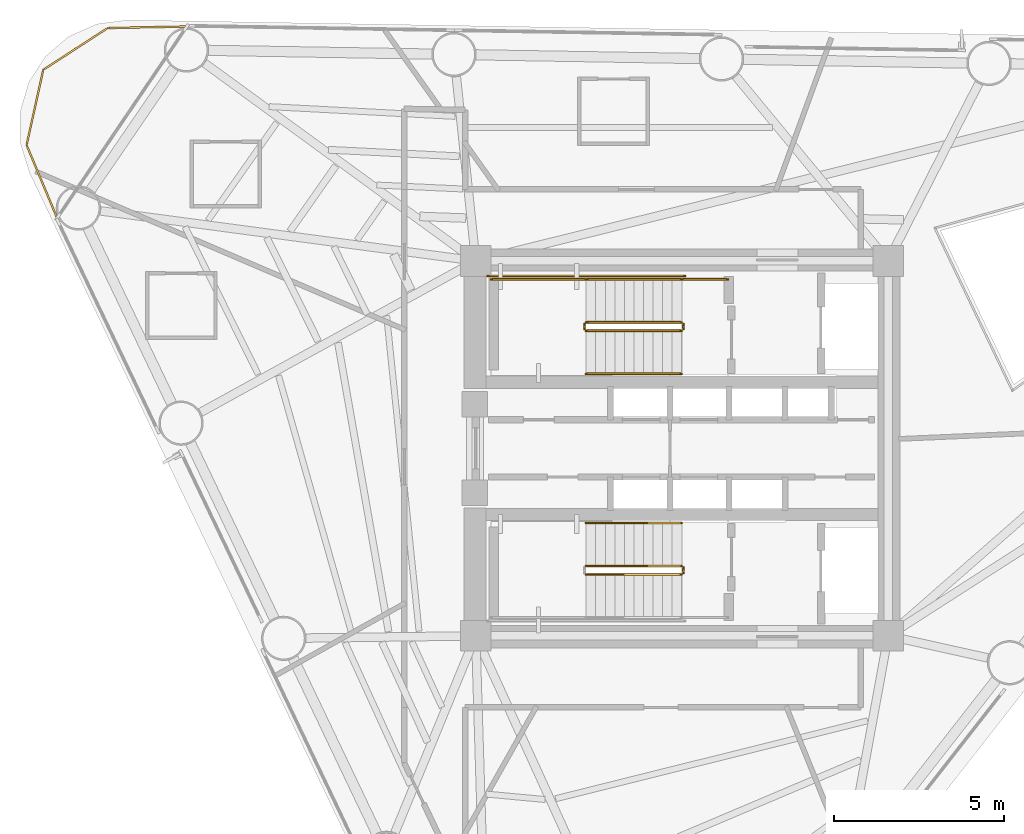
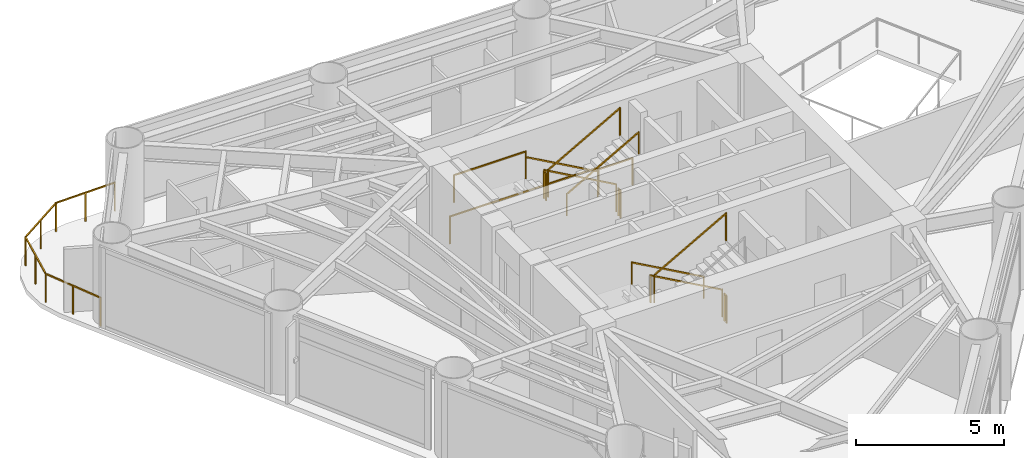
# One storey, part 9 of 10: 14 railings.
"""IFC4 building model written with IfcOpenShell, lengths in metres."""

from ifc_helpers import new_model, si_unit, direction, frame, origin, origin_2d, place, context, subcontext, project, spatial, rectangle, extrude, material, type_object, element, save


model = new_model("IFC4")

# Units and contexts
model_context = context("Model", 3, precision=1e-05, world=origin(), true_north=direction((0.0, 1.0)))
body_context = subcontext(model_context, "Body", "Model", "MODEL_VIEW")
ifc_project = project(units=[si_unit("LENGTHUNIT", "METRE"), si_unit("AREAUNIT", "SQUARE_METRE"), si_unit("VOLUMEUNIT", "CUBIC_METRE"), si_unit("PLANEANGLEUNIT", "RADIAN"), si_unit("MASSUNIT", "GRAM", prefix="KILO")], contexts=[model_context])

# Site, building, storey
site_placement = place(None, origin())
site = spatial("IfcSite", under=ifc_project, at=site_placement, CompositionType="ELEMENT")
building_placement = place(site_placement, origin())
building = spatial("IfcBuilding", under=site, at=building_placement, Name="Yunling Apex Tower", CompositionType="ELEMENT")
storey_placement = place(building_placement, frame((0.0, 0.0, 143.300048828125)))
storey = spatial("IfcBuildingStorey", under=building, at=storey_placement, Name="L35", CompositionType="ELEMENT", Elevation=143.300048828125)

# Railings
ifc_material_1 = material(Name="Bronze anodised aluminium", Category="aluminium")
railing_type_1 = type_object("IfcRailingType", Name="RL-BAL-1200", PredefinedType="BALUSTRADE", material=ifc_material_1)
railing_1_placement = place(storey_placement, frame((-18.331298828125, 6.7578125, 0.0)))
element("IfcRailing", 1, at=railing_1_placement, inside=storey, type_object=railing_type_1, Name="RL-CRNSILL-L35-2", PredefinedType="BALUSTRADE", context=body_context, shape_type="SweptSolid", body=[
    extrude(rectangle(XDim=0.0439453125, YDim=0.0439453125, at=origin_2d()), origin(), (0.0, 0.0, 1.0), 1.199951171875),
    extrude(rectangle(XDim=0.0439453125, YDim=0.0439453125, at=origin_2d()), frame((-0.896240234375, 2.142578125, 0.0)), (0.0, 0.0, 1.0), 1.199951171875),
    extrude(rectangle(XDim=0.050048828125, YDim=0.050048828125, at=origin_2d()), frame((-0.014892578125, 0.035400390625, 1.1748046875), z_axis=(-0.385898856138, 0.92254109547, 0.0), x_axis=(-0.92254109547, -0.385898856138, 0.0)), (0.0, 0.0, 1.0), 2.245849609375),
    extrude(rectangle(XDim=0.0439453125, YDim=0.0439453125, at=origin_2d()), frame((-0.4482421875, 1.0712890625, 0.0)), (0.0, 0.0, 1.0), 1.14599609375),
    extrude(rectangle(XDim=0.0439453125, YDim=0.0439453125, at=origin_2d()), frame((-0.407958984375, 4.349609375, 0.0)), (0.0, 0.0, 1.0), 1.199951171875),
    extrude(rectangle(XDim=0.050048828125, YDim=0.050048828125, at=origin_2d()), frame((-0.887939453125, 2.179931640625, 1.1748046875), z_axis=(0.216015473483, 0.976389940145, 0.0), x_axis=(-0.976389940145, 0.216015473483, 0.0)), (0.0, 0.0, 1.0), 2.183837890625),
    extrude(rectangle(XDim=0.0439453125, YDim=0.0439453125, at=origin_2d()), frame((-0.652099609375, 3.24609375, 0.0)), (0.0, 0.0, 1.0), 1.14599609375),
    extrude(rectangle(XDim=0.0439453125, YDim=0.0439453125, at=origin_2d()), frame((1.482666015625, 5.574951171875, 0.0)), (0.0, 0.0, 1.0), 1.199951171875),
    extrude(rectangle(XDim=0.050048828125, YDim=0.050048828125, at=origin_2d()), frame((-0.375732421875, 4.370361328125, 1.1748046875), z_axis=(0.83916580884, 0.543875670786, 0.0), x_axis=(-0.543875670786, 0.83916580884, 0.0)), (0.0, 0.0, 1.0), 2.17626953125),
    extrude(rectangle(XDim=0.0439453125, YDim=0.0439453125, at=origin_2d()), frame((0.537353515625, 4.96240234375, 0.0)), (0.0, 0.0, 1.0), 1.14599609375),
    extrude(rectangle(XDim=0.0439453125, YDim=0.0439453125, at=origin_2d()), frame((3.805419921875, 5.6220703125, 0.0)), (0.0, 0.0, 1.0), 1.199951171875),
    extrude(rectangle(XDim=0.050048828125, YDim=0.050048828125, at=origin_2d()), frame((1.52099609375, 5.57568359375, 1.1748046875), z_axis=(0.999794304726, 0.020281721759, 0.0), x_axis=(-0.020281721759, 0.999794304726, 0.0)), (0.0, 0.0, 1.0), 2.24658203125),
    extrude(rectangle(XDim=0.0439453125, YDim=0.0439453125, at=origin_2d()), frame((2.64404296875, 5.5986328125, 0.0)), (0.0, 0.0, 1.0), 1.14599609375),
])
ifc_material_2 = material(Name="Steel Q355B", Category="steel")
railing_type_2 = type_object("IfcRailingType", Name="RL-GRD-1150", PredefinedType="GUARDRAIL", material=ifc_material_2)
railing_2_placement = place(storey_placement, frame((-0.010009765625, 3.699951171875, 0.15673828125)))
element("IfcRailing", 2, at=railing_2_placement, inside=storey, type_object=railing_type_2, Name="L35 ST-1 stair guard 1", PredefinedType="GUARDRAIL", context=body_context, shape_type="SweptSolid", body=[
    extrude(rectangle(XDim=0.0439453125, YDim=0.0439453125, at=origin_2d()), origin(), (0.0, 0.0, 1.0), 1.14990234375),
    extrude(rectangle(XDim=0.0439453125, YDim=0.0439453125, at=origin_2d()), frame((-2.800048828125, 0.0, 1.568115234375)), (0.0, 0.0, 1.0), 1.14990234375),
    extrude(rectangle(XDim=0.050048828125, YDim=0.050048828125, at=origin_2d()), frame((-0.033447265625, 0.0, 1.1435546875), z_axis=(-0.872494340497, 0.0, 0.48862421737), x_axis=(0.0, -1.0, 0.0)), (0.0, 0.0, 1.0), 3.132568359375),
])
railing_3_placement = place(storey_placement, frame((-2.860107421875, 3.64990234375, 1.724853515625)))
element("IfcRailing", 3, at=railing_3_placement, inside=storey, type_object=railing_type_2, Name="L35 ST-1 stair guard 2", PredefinedType="GUARDRAIL", context=body_context, shape_type="SweptSolid", body=[
    extrude(rectangle(XDim=0.0439453125, YDim=0.0439453125, at=origin_2d()), origin(), (0.0, 0.0, 1.0), 1.14990234375),
    extrude(rectangle(XDim=0.0439453125, YDim=0.0439453125, at=origin_2d()), frame((0.0, -0.14990234375, 0.0)), (0.0, 0.0, 1.0), 1.14990234375),
    extrude(rectangle(XDim=0.050048828125, YDim=0.050048828125, at=origin_2d()), frame((0.0, -0.038330078125, 1.125), z_axis=(0.0, -1.0, 0.0), x_axis=(1.0, 0.0, 0.0)), (0.0, 0.0, 1.0), 0.0732421875),
])
railing_4_placement = place(storey_placement, frame((-2.81005859375, 4.9599609375, 1.724853515625)))
element("IfcRailing", 4, at=railing_4_placement, inside=storey, type_object=railing_type_2, Name="L35 ST-1 stair guard 3", PredefinedType="GUARDRAIL", context=body_context, shape_type="SweptSolid", body=[
    extrude(rectangle(XDim=0.0439453125, YDim=0.0439453125, at=origin_2d()), origin(), (0.0, 0.0, 1.0), 1.14990234375),
    extrude(rectangle(XDim=0.0439453125, YDim=0.0439453125, at=origin_2d()), frame((-2.7900390625, 0.0, 0.0)), (0.0, 0.0, 1.0), 1.14990234375),
    extrude(rectangle(XDim=0.050048828125, YDim=0.050048828125, at=origin_2d()), frame((-0.038330078125, 0.0, 1.125), z_axis=(-1.0, 0.0, 0.0), x_axis=(0.0, -1.0, 0.0)), (0.0, 0.0, 1.0), 2.71337890625),
])
railing_5_placement = place(storey_placement, frame((-2.81005859375, 3.449951171875, 1.8818359375)))
element("IfcRailing", 5, at=railing_5_placement, inside=storey, type_object=railing_type_2, Name="L35 ST-1 stair guard 4", PredefinedType="GUARDRAIL", context=body_context, shape_type="SweptSolid", body=[
    extrude(rectangle(XDim=0.0439453125, YDim=0.0439453125, at=origin_2d()), origin(), (0.0, 0.0, 1.0), 1.14990234375),
    extrude(rectangle(XDim=0.0439453125, YDim=0.0439453125, at=origin_2d()), frame((2.800048828125, 0.0, 1.568115234375)), (0.0, 0.0, 1.0), 1.14990234375),
    extrude(rectangle(XDim=0.050048828125, YDim=0.050048828125, at=origin_2d()), frame((0.033447265625, 0.0, 1.1435546875), z_axis=(0.872494340497, 0.0, 0.48862421737), x_axis=(0.0, 1.0, 0.0)), (0.0, 0.0, 1.0), 3.132568359375),
])
railing_6_placement = place(storey_placement, frame((0.0400390625, 3.64990234375, 0.0)))
element("IfcRailing", 6, at=railing_6_placement, inside=storey, type_object=railing_type_2, Name="L35 ST-1 stair guard 5", PredefinedType="GUARDRAIL", context=body_context, shape_type="SweptSolid", body=[
    extrude(rectangle(XDim=0.0439453125, YDim=0.0439453125, at=origin_2d()), origin(), (0.0, 0.0, 1.0), 1.14990234375),
    extrude(rectangle(XDim=0.0439453125, YDim=0.0439453125, at=origin_2d()), frame((0.0, -0.14990234375, 0.0)), (0.0, 0.0, 1.0), 1.14990234375),
    extrude(rectangle(XDim=0.050048828125, YDim=0.050048828125, at=origin_2d()), frame((0.0, -0.038330078125, 1.125), z_axis=(0.0, -1.0, 0.0), x_axis=(1.0, 0.0, 0.0)), (0.0, 0.0, 1.0), 0.0732421875),
])
railing_7_placement = place(storey_placement, frame((1.35009765625, 4.9599609375, 0.0)))
element("IfcRailing", 7, at=railing_7_placement, inside=storey, type_object=railing_type_2, Name="L35 ST-1 stair guard 6", PredefinedType="GUARDRAIL", context=body_context, shape_type="SweptSolid", body=[
    extrude(rectangle(XDim=0.0439453125, YDim=0.0439453125, at=origin_2d()), origin(), (0.0, 0.0, 1.0), 1.14990234375),
    extrude(rectangle(XDim=0.0439453125, YDim=0.0439453125, at=origin_2d()), frame((-1.360107421875, 0.0, 0.0)), (0.0, 0.0, 1.0), 1.14990234375),
    extrude(rectangle(XDim=0.050048828125, YDim=0.050048828125, at=origin_2d()), frame((-0.038330078125, 0.0, 1.125), z_axis=(-1.0, 0.0, 0.0), x_axis=(0.0, -1.0, 0.0)), (0.0, 0.0, 1.0), 1.283447265625),
])
railing_8_placement = place(storey_placement, frame((0.090087890625, 5.06005859375, 0.0)))
element("IfcRailing", 8, at=railing_8_placement, inside=storey, type_object=railing_type_2, Name="L35 ST-1 stair guard 7", PredefinedType="GUARDRAIL", context=body_context, shape_type="SweptSolid", body=[
    extrude(rectangle(XDim=0.0439453125, YDim=0.0439453125, at=origin_2d()), origin(), (0.0, 0.0, 1.0), 1.14990234375),
    extrude(rectangle(XDim=0.0439453125, YDim=0.0439453125, at=origin_2d()), frame((-5.7900390625, 0.0, 0.0)), (0.0, 0.0, 1.0), 1.14990234375),
    extrude(rectangle(XDim=0.050048828125, YDim=0.050048828125, at=origin_2d()), frame((-0.038330078125, 0.0, 1.125), z_axis=(-1.0, 0.0, 0.0), x_axis=(0.0, -1.0, 0.0)), (0.0, 0.0, 1.0), 5.71337890625),
])
railing_9_placement = place(storey_placement, frame((-0.010009765625, -3.449951171875, 0.15673828125)))
element("IfcRailing", 9, at=railing_9_placement, inside=storey, type_object=railing_type_2, Name="L35 ST-2 stair guard 1", PredefinedType="GUARDRAIL", context=body_context, shape_type="SweptSolid", body=[
    extrude(rectangle(XDim=0.0439453125, YDim=0.0439453125, at=origin_2d()), origin(), (0.0, 0.0, 1.0), 1.14990234375),
    extrude(rectangle(XDim=0.0439453125, YDim=0.0439453125, at=origin_2d()), frame((-2.800048828125, 0.0, 1.568115234375)), (0.0, 0.0, 1.0), 1.14990234375),
    extrude(rectangle(XDim=0.050048828125, YDim=0.050048828125, at=origin_2d()), frame((-0.033447265625, 0.0, 1.1435546875), z_axis=(-0.872494340497, 0.0, 0.48862421737), x_axis=(0.0, -1.0, 0.0)), (0.0, 0.0, 1.0), 3.132568359375),
])
railing_10_placement = place(storey_placement, frame((-2.81005859375, -3.699951171875, 1.8818359375)))
element("IfcRailing", 10, at=railing_10_placement, inside=storey, type_object=railing_type_2, Name="L35 ST-2 stair guard 4", PredefinedType="GUARDRAIL", context=body_context, shape_type="SweptSolid", body=[
    extrude(rectangle(XDim=0.0439453125, YDim=0.0439453125, at=origin_2d()), origin(), (0.0, 0.0, 1.0), 1.14990234375),
    extrude(rectangle(XDim=0.0439453125, YDim=0.0439453125, at=origin_2d()), frame((2.800048828125, 0.0, 1.568115234375)), (0.0, 0.0, 1.0), 1.14990234375),
    extrude(rectangle(XDim=0.050048828125, YDim=0.050048828125, at=origin_2d()), frame((0.033447265625, 0.0, 1.1435546875), z_axis=(0.872494340497, 0.0, 0.48862421737), x_axis=(0.0, 1.0, 0.0)), (0.0, 0.0, 1.0), 3.132568359375),
])
railing_11_placement = place(storey_placement, frame((0.0400390625, -3.5, 0.0)))
element("IfcRailing", 11, at=railing_11_placement, inside=storey, type_object=railing_type_2, Name="L35 ST-2 stair guard 5", PredefinedType="GUARDRAIL", context=body_context, shape_type="SweptSolid", body=[
    extrude(rectangle(XDim=0.0439453125, YDim=0.0439453125, at=origin_2d()), origin(), (0.0, 0.0, 1.0), 1.14990234375),
    extrude(rectangle(XDim=0.0439453125, YDim=0.0439453125, at=origin_2d()), frame((0.0, -0.14990234375, 0.0)), (0.0, 0.0, 1.0), 1.14990234375),
    extrude(rectangle(XDim=0.050048828125, YDim=0.050048828125, at=origin_2d()), frame((0.0, -0.038330078125, 1.125), z_axis=(0.0, -1.0, 0.0), x_axis=(1.0, 0.0, 0.0)), (0.0, 0.0, 1.0), 0.0732421875),
])
ifc_material_3 = material(Name="Silver anodised aluminium", Category="aluminium")
railing_type_3 = type_object("IfcRailingType", Name="RL-HND-900", PredefinedType="HANDRAIL", material=ifc_material_3)
railing_12_placement = place(storey_placement, frame((-0.010009765625, 4.9599609375, 0.15673828125)))
element("IfcRailing", 12, at=railing_12_placement, inside=storey, type_object=railing_type_3, Name="L35 ST-1 stair handrail 1", PredefinedType="HANDRAIL", context=body_context, shape_type="SweptSolid", body=[
    extrude(rectangle(XDim=0.0439453125, YDim=0.0439453125, at=origin_2d()), origin(), (0.0, 0.0, 1.0), 0.919921875),
    extrude(rectangle(XDim=0.0439453125, YDim=0.0439453125, at=origin_2d()), frame((-2.800048828125, 0.0, 1.568115234375)), (0.0, 0.0, 1.0), 0.919921875),
    extrude(rectangle(XDim=0.050048828125, YDim=0.050048828125, at=origin_2d()), frame((-0.033447265625, 0.0, 0.91357421875), z_axis=(-0.872494340497, 0.0, 0.48862421737), x_axis=(0.0, -1.0, 0.0)), (0.0, 0.0, 1.0), 3.132568359375),
])
railing_13_placement = place(storey_placement, frame((-2.81005859375, 2.18994140625, 1.8818359375)))
element("IfcRailing", 13, at=railing_13_placement, inside=storey, type_object=railing_type_3, Name="L35 ST-1 stair handrail 2", PredefinedType="HANDRAIL", context=body_context, shape_type="SweptSolid", body=[
    extrude(rectangle(XDim=0.0439453125, YDim=0.0439453125, at=origin_2d()), origin(), (0.0, 0.0, 1.0), 0.919921875),
    extrude(rectangle(XDim=0.0439453125, YDim=0.0439453125, at=origin_2d()), frame((2.800048828125, 0.0, 1.568115234375)), (0.0, 0.0, 1.0), 0.919921875),
    extrude(rectangle(XDim=0.050048828125, YDim=0.050048828125, at=origin_2d()), frame((0.033447265625, 0.0, 0.91357421875), z_axis=(0.872494340497, 0.0, 0.48862421737), x_axis=(0.0, 1.0, 0.0)), (0.0, 0.0, 1.0), 3.132568359375),
])
railing_14_placement = place(storey_placement, frame((-0.010009765625, -2.18994140625, 0.15673828125)))
element("IfcRailing", 14, at=railing_14_placement, inside=storey, type_object=railing_type_3, Name="L35 ST-2 stair handrail 1", PredefinedType="HANDRAIL", context=body_context, shape_type="SweptSolid", body=[
    extrude(rectangle(XDim=0.0439453125, YDim=0.0439453125, at=origin_2d()), origin(), (0.0, 0.0, 1.0), 0.919921875),
    extrude(rectangle(XDim=0.0439453125, YDim=0.0439453125, at=origin_2d()), frame((-2.800048828125, 0.0, 1.568115234375)), (0.0, 0.0, 1.0), 0.919921875),
    extrude(rectangle(XDim=0.050048828125, YDim=0.050048828125, at=origin_2d()), frame((-0.033447265625, 0.0, 0.91357421875), z_axis=(-0.872494340497, 0.0, 0.48862421737), x_axis=(0.0, -1.0, 0.0)), (0.0, 0.0, 1.0), 3.132568359375),
])

save(model, "model.ifc")
